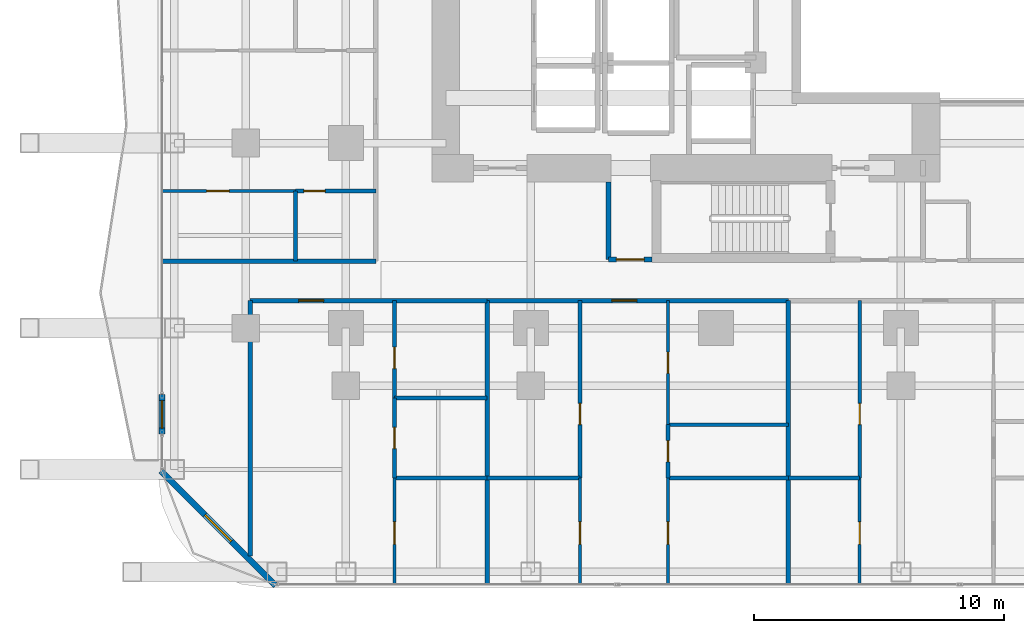
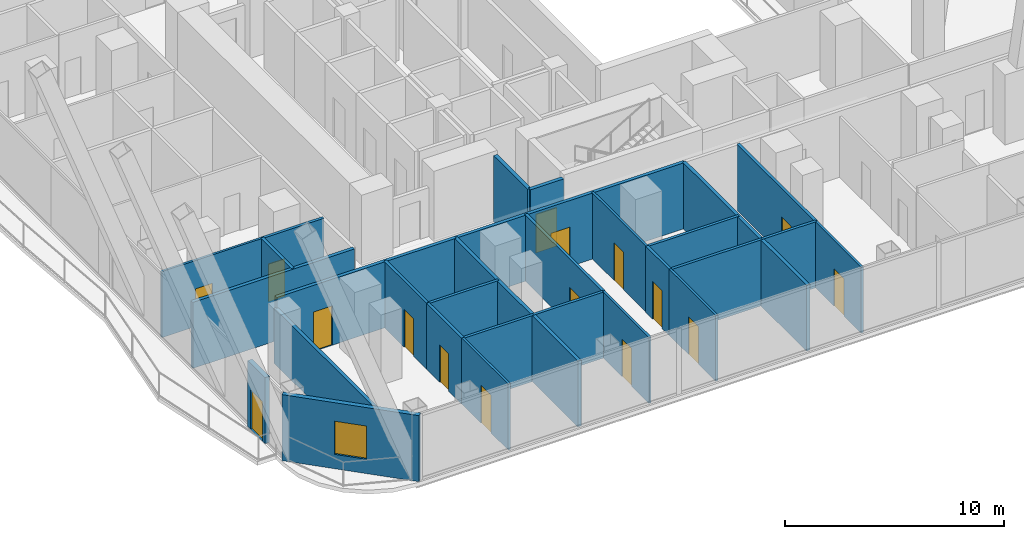
# One storey, part 25 of 33: 29 walls, 16 doors, 1 window, 17 openings.
"""IFC4 building model written with IfcOpenShell, lengths in metres."""

from ifc_helpers import new_model, si_unit, direction, frame, frame_2d, origin, place, context, subcontext, project, spatial, rectangle, extrude, material, layer, layer_set, type_object, element, fill, save


model = new_model("IFC4")

# Units and contexts
model_context = context("Model", 3, precision=1e-05, world=origin(), true_north=direction((0.0, 1.0)))
body_context = subcontext(model_context, "Body", "Model", "MODEL_VIEW")
ifc_project = project(units=[si_unit("LENGTHUNIT", "METRE"), si_unit("AREAUNIT", "SQUARE_METRE"), si_unit("VOLUMEUNIT", "CUBIC_METRE"), si_unit("PLANEANGLEUNIT", "RADIAN"), si_unit("MASSUNIT", "GRAM", prefix="KILO")], contexts=[model_context])

# Site, building, storey
site_placement = place(None, origin())
site = spatial("IfcSite", under=ifc_project, at=site_placement, CompositionType="ELEMENT")
building_placement = place(site_placement, origin())
building = spatial("IfcBuilding", under=site, at=building_placement, Name="Khorvyn Point Tower", CompositionType="ELEMENT")
storey_placement = place(building_placement, frame((0.0, 0.0, 38.39990234375)))
storey = spatial("IfcBuildingStorey", under=building, at=storey_placement, Name="L10", CompositionType="ELEMENT", Elevation=38.39990234375)

# Wall, opening, door
ifc_material_1 = material(Name="Double acoustic gypsum on twin steel stud", Category="steel")
ifc_layer_1 = layer(ifc_material_1, 0.179931640625)
ifc_layer_set_1 = layer_set([ifc_layer_1], Name="Acoustic Double-Stud Apartment Demising Wall 180")
wall_type_1 = type_object("IfcWallType", Name="Acoustic Double-Stud Apartment Demising Wall 180", PredefinedType="PARTITIONING", material=ifc_layer_set_1)
wall_1_placement = place(storey_placement, frame((-18.6201171875, -13.699951171875, 0.0), z_axis=(0.0, 0.0, 1.0), x_axis=(1.0, 0.0, 0.0)))
wall_1 = element("IfcWall", 1, at=wall_1_placement, inside=storey, type_object=wall_type_1, Name="Wall", PredefinedType="PARTITIONING", context=body_context, shape_type="SweptSolid", body=[
    extrude(rectangle(XDim=9.46923828125, YDim=0.179931640625, at=frame_2d((4.734619140625, 0.0))), origin(), (0.0, 0.0, 1.0), 3.68017578125),
])
opening_1_placement = place(wall_1_placement, frame((1.931396484375, 0.0, 0.0)))
opening_1 = element("IfcOpeningElement", 2, at=opening_1_placement, cuts=wall_1, Name="Opening ID-AP60", PredefinedType="OPENING", context=body_context, shape_type="SweptSolid", body=[
    extrude(rectangle(XDim=1.0, YDim=2.199951171875, at=frame_2d((0.5, 1.10009765625))), frame((0.0, 0.099853515625, 0.0), z_axis=(0.0, -1.0, 0.0), x_axis=(1.0, 0.0, 0.0)), (0.0, 0.0, 1.0), 0.199951171875),
])
ifc_material_2 = material(Name="Engineered hardwood fire-rated leaf", Category="wood")
door_type_1 = type_object("IfcDoorType", Name="Acoustic Solid-Core Timber Apartment Entrance Door 1000x2200", OperationType="NOTDEFINED", PredefinedType="DOOR", material=ifc_material_2)
door_1_placement = place(opening_1_placement, origin())
door_1 = element("IfcDoor", 3, at=door_1_placement, inside=storey, type_object=door_type_1, Name="Door", OperationType="SINGLE_SWING_LEFT", OverallHeight=2.199951171875, OverallWidth=1.0, PredefinedType="DOOR", context=body_context, shape_type="SweptSolid", body=[
    extrude(rectangle(XDim=1.0, YDim=2.199951171875, at=frame_2d((0.5, 1.10009765625))), frame((0.0, 0.02490234375, 0.0), z_axis=(0.0, -1.0, 0.0), x_axis=(1.0, 0.0, 0.0)), (0.0, 0.0, 1.0), 0.050048828125),
])
fill(opening_1, door_1)

wall_2_placement = place(storey_placement, frame((-9.15087890625, -13.699951171875, 0.0), z_axis=(0.0, 0.0, 1.0), x_axis=(1.0, 0.0, 0.0)))
wall_2 = element("IfcWall", 4, at=wall_2_placement, inside=storey, type_object=wall_type_1, Name="Wall", PredefinedType="PARTITIONING", context=body_context, shape_type="SweptSolid", body=[
    extrude(rectangle(XDim=12.05078125, YDim=0.179931640625, at=frame_2d((6.025390625, 0.0))), origin(), (0.0, 0.0, 1.0), 3.68017578125),
])
opening_2_placement = place(wall_2_placement, frame((4.989013671875, 0.0, 0.0)))
opening_2 = element("IfcOpeningElement", 5, at=opening_2_placement, cuts=wall_2, Name="Opening ID-AP60", PredefinedType="OPENING", context=body_context, shape_type="SweptSolid", body=[
    extrude(rectangle(XDim=1.0, YDim=2.199951171875, at=frame_2d((0.5, 1.10009765625))), frame((0.0, 0.099853515625, 0.0), z_axis=(0.0, -1.0, 0.0), x_axis=(1.0, 0.0, 0.0)), (0.0, 0.0, 1.0), 0.199951171875),
])
door_2_placement = place(opening_2_placement, origin())
door_2 = element("IfcDoor", 6, at=door_2_placement, inside=storey, type_object=door_type_1, Name="Door", OperationType="SINGLE_SWING_LEFT", OverallHeight=2.199951171875, OverallWidth=1.0, PredefinedType="DOOR", context=body_context, shape_type="SweptSolid", body=[
    extrude(rectangle(XDim=1.0, YDim=2.199951171875, at=frame_2d((0.5, 1.10009765625))), frame((0.0, 0.02490234375, 0.0), z_axis=(0.0, -1.0, 0.0), x_axis=(1.0, 0.0, 0.0)), (0.0, 0.0, 1.0), 0.050048828125),
])
fill(opening_2, door_2)

# Walls
wall_3_placement = place(storey_placement, frame((-18.6201171875, -23.909912109375, 0.0), z_axis=(0.0, 0.0, 1.0), x_axis=(0.0, 1.0, 0.0)))
element("IfcWall", 7, at=wall_3_placement, inside=storey, type_object=wall_type_1, Name="Wall", PredefinedType="PARTITIONING", context=body_context, shape_type="SweptSolid", body=[
    extrude(rectangle(XDim=10.2099609375, YDim=0.179931640625, at=frame_2d((5.10498046875, 0.0))), origin(), (0.0, 0.0, 1.0), 3.08203125),
])
for number, where, z_axis, x_axis, name in (
    (8, (-9.15087890625, -25.030029296875, 0.0), (0.0, 0.0, 1.0), (0.0, 1.0, 0.0), "Wall"),
    (9, (2.89990234375, -25.030029296875, 0.0), (0.0, 0.0, 1.0), (0.0, 1.0, 0.0), "Wall"),
):
    element("IfcWall", number, at=place(storey_placement, frame(where, z_axis=z_axis, x_axis=x_axis)), inside=storey, type_object=wall_type_1, Name=name, PredefinedType="PARTITIONING", context=body_context, shape_type="SweptSolid", body=[
        extrude(rectangle(XDim=11.330078125, YDim=0.179931640625, at=frame_2d((5.6650390625, 0.0))), origin(), (0.0, 0.0, 1.0), 3.68017578125),
    ])
wall_4_placement = place(storey_placement, frame((-22.1298828125, -12.1201171875, 0.0), z_axis=(0.0, 0.0, 1.0), x_axis=(1.0, 0.0, 0.0)))
element("IfcWall", 10, at=wall_4_placement, inside=storey, type_object=wall_type_1, Name="Wall", PredefinedType="PARTITIONING", context=body_context, shape_type="SweptSolid", body=[
    extrude(rectangle(XDim=8.52978515625, YDim=0.179931640625, at=frame_2d((4.264892578125, 0.0))), origin(), (0.0, 0.0, 1.0), 3.68017578125),
])

# Wall, opening, door
ifc_material_3 = material(Name="Pale anodised aluminium rainscreen on steel stud", Category="steel")
ifc_layer_2 = layer(ifc_material_3, 0.239990234375)
ifc_layer_set_2 = layer_set([ifc_layer_2], Name="Anodised Aluminium Insulated Corner Spandrel Wall 240")
wall_type_2 = type_object("IfcWallType", Name="Anodised Aluminium Insulated Corner Spandrel Wall 240", PredefinedType="SOLIDWALL", material=ifc_layer_set_2)
wall_5_placement = place(storey_placement, frame((-22.14990234375, -19.0400390625, 0.0), z_axis=(0.0, 0.0, 1.0), x_axis=(0.0, 1.0, 0.0)))
wall_5 = element("IfcWall", 11, at=wall_5_placement, inside=storey, type_object=wall_type_2, Name="L10 West Outdoor Threshold Wall", PredefinedType="SOLIDWALL", context=body_context, shape_type="SweptSolid", body=[
    extrude(rectangle(XDim=1.580078125, YDim=0.239990234375, at=frame_2d((0.7900390625, 0.0))), origin(), (0.0, 0.0, 1.0), 3.68017578125),
])
opening_3_placement = place(wall_5_placement, frame((0.239990234375, 0.0, 0.0)))
opening_3 = element("IfcOpeningElement", 12, at=opening_3_placement, cuts=wall_5, Name="Opening BD-1122", PredefinedType="OPENING", context=body_context, shape_type="SweptSolid", body=[
    extrude(rectangle(XDim=1.10009765625, YDim=2.199951171875, at=frame_2d((0.550048828125, 1.10009765625))), frame((0.0, 0.1298828125, 0.0), z_axis=(0.0, -1.0, 0.0), x_axis=(1.0, 0.0, 0.0)), (0.0, 0.0, 1.0), 0.260009765625),
])
ifc_material_4 = material(Name="Anodised aluminium 6063-T6 and laminated Low-E glass", Category="aluminium")
door_type_2 = type_object("IfcDoorType", Name="Glazed Balcony and Terrace Threshold Door 1100x2200", OperationType="NOTDEFINED", PredefinedType="DOOR", material=ifc_material_4)
door_3_placement = place(opening_3_placement, origin())
door_3 = element("IfcDoor", 13, at=door_3_placement, inside=storey, type_object=door_type_2, Name="L10 West Glazed Balcony Outdoor Door", OperationType="SINGLE_SWING_RIGHT", OverallHeight=2.199951171875, OverallWidth=1.10009765625, PredefinedType="DOOR", context=body_context, shape_type="SweptSolid", body=[
    extrude(rectangle(XDim=1.10009765625, YDim=2.199951171875, at=frame_2d((0.550048828125, 1.10009765625))), frame((0.0, 0.02490234375, 0.0), z_axis=(0.0, -1.0, 0.0), x_axis=(1.0, 0.0, 0.0)), (0.0, 0.0, 1.0), 0.050048828125),
])
fill(opening_3, door_3)

# Wall, opening, window
wall_6_placement = place(storey_placement, frame((-17.607666015625, -25.09228515625, 0.0), z_axis=(0.0, 0.0, 1.0), x_axis=(-0.707106781187, 0.707106781187, 0.0)))
wall_6 = element("IfcWall", 14, at=wall_6_placement, inside=storey, type_object=wall_type_2, Name="L10 Rounded Corner Wall SW", PredefinedType="SOLIDWALL", context=body_context, shape_type="SweptSolid", body=[
    extrude(rectangle(XDim=6.48388671875, YDim=0.239990234375, at=frame_2d((3.241943359375, 0.0))), origin(), (0.0, 0.0, 1.0), 3.68017578125),
])
opening_4_placement = place(wall_6_placement, frame((2.491943359375, 0.0, 0.800048828125)))
opening_4 = element("IfcOpeningElement", 15, at=opening_4_placement, cuts=wall_6, Name="Opening WN-1518", PredefinedType="OPENING", context=body_context, shape_type="SweptSolid", body=[
    extrude(rectangle(XDim=1.5, YDim=1.85009765625, at=frame_2d((0.75, 0.925048828125))), frame((0.0, 0.1298828125, 0.0), z_axis=(0.0, -1.0, 0.0), x_axis=(1.0, 0.0, 0.0)), (0.0, 0.0, 1.0), 0.260009765625),
])
window_type = type_object("IfcWindowType", Name="Anodised Aluminium Rounded-Corner Panoramic Window 1500x1850", PartitioningType="SINGLE_PANEL", PredefinedType="WINDOW", material=ifc_material_4)
window_placement = place(opening_4_placement, origin())
window = element("IfcWindow", 16, at=window_placement, inside=storey, type_object=window_type, Name="L10 Corner Panoramic Window SW", OverallHeight=1.85009765625, OverallWidth=1.5, PartitioningType="SINGLE_PANEL", PredefinedType="WINDOW", context=body_context, shape_type="SweptSolid", body=[
    extrude(rectangle(XDim=1.5, YDim=1.85009765625, at=frame_2d((0.75, 0.925048828125))), frame((0.0, 0.030029296875, 0.0), z_axis=(0.0, -1.0, 0.0), x_axis=(1.0, 0.0, 0.0)), (0.0, 0.0, 1.0), 0.06005859375),
])
fill(opening_4, window)

# Wall, opening, door
ifc_material_5 = material(Name="Concrete C40/50", Category="concrete")
ifc_layer_3 = layer(ifc_material_5, 0.199951171875)
ifc_layer_set_3 = layer_set([ifc_layer_3], Name="Concrete C40/50 Fire-Lobby Compartment Wall 200")
wall_type_3 = type_object("IfcWallType", Name="Concrete C40/50 Fire-Lobby Compartment Wall 200", PredefinedType="SOLIDWALL", material=ifc_layer_set_3)
wall_7_placement = place(storey_placement, frame((-4.300048828125, -12.06005859375, 0.0), z_axis=(0.0, 0.0, 1.0), x_axis=(1.0, 0.0, 0.0)))
wall_7 = element("IfcWall", 17, at=wall_7_placement, inside=storey, type_object=wall_type_3, Name="Wall", PredefinedType="SOLIDWALL", context=body_context, shape_type="SweptSolid", body=[
    extrude(rectangle(XDim=1.75, YDim=0.199951171875, at=frame_2d((0.875, 0.0))), origin(), (0.0, 0.0, 1.0), 3.68017578125),
])
opening_5_placement = place(wall_7_placement, frame((0.324951171875, 0.0, 0.0)))
opening_5 = element("IfcOpeningElement", 18, at=opening_5_placement, cuts=wall_7, Name="Opening ID-FL90", PredefinedType="OPENING", context=body_context, shape_type="SweptSolid", body=[
    extrude(rectangle(XDim=1.10009765625, YDim=2.14990234375, at=frame_2d((0.550048828125, 1.074951171875))), frame((0.0, 0.10986328125, 0.0), z_axis=(0.0, -1.0, 0.0), x_axis=(1.0, 0.0, 0.0)), (0.0, 0.0, 1.0), 0.219970703125),
])
ifc_material_6 = material(Name="Galvanised powder-coated steel", Category="steel")
door_type_3 = type_object("IfcDoorType", Name="Fire-Rated Steel Lobby and Stair Door 1100x2150", OperationType="NOTDEFINED", PredefinedType="DOOR", material=ifc_material_6)
door_4_placement = place(opening_5_placement, origin())
door_4 = element("IfcDoor", 19, at=door_4_placement, inside=storey, type_object=door_type_3, Name="Door", OperationType="SINGLE_SWING_LEFT", OverallHeight=2.14990234375, OverallWidth=1.10009765625, PredefinedType="DOOR", context=body_context, shape_type="SweptSolid", body=[
    extrude(rectangle(XDim=1.10009765625, YDim=2.14990234375, at=frame_2d((0.550048828125, 1.074951171875))), frame((0.0, 0.02490234375, 0.0), z_axis=(0.0, -1.0, 0.0), x_axis=(1.0, 0.0, 0.0)), (0.0, 0.0, 1.0), 0.050048828125),
])
fill(opening_5, door_4)

# Wall
wall_8_placement = place(storey_placement, frame((-4.300048828125, -12.06005859375, 0.0), z_axis=(0.0, 0.0, 1.0), x_axis=(0.0, 1.0, 0.0)))
element("IfcWall", 20, at=wall_8_placement, inside=storey, type_object=wall_type_3, Name="Wall", PredefinedType="SOLIDWALL", context=body_context, shape_type="SweptSolid", body=[
    extrude(rectangle(XDim=3.110107421875, YDim=0.199951171875, at=frame_2d((1.55517578125, 0.0))), origin(), (0.0, 0.0, 1.0), 3.68017578125),
])

# Wall, opening, door
ifc_material_7 = material(Name="Gypsum plasterboard on steel stud", Category="steel")
ifc_layer_4 = layer(ifc_material_7, 0.1201171875)
ifc_layer_set_4 = layer_set([ifc_layer_4], Name="Gypsum Acoustic Stud Room Partition Wall 120")
wall_type_4 = type_object("IfcWallType", Name="Gypsum Acoustic Stud Room Partition Wall 120", PredefinedType="PARTITIONING", material=ifc_layer_set_4)
wall_9_placement = place(storey_placement, frame((-12.85400390625, -25.030029296875, 0.0), z_axis=(0.0, 0.0, 1.0), x_axis=(0.0, 1.0, 0.0)))
wall_9 = element("IfcWall", 21, at=wall_9_placement, inside=storey, type_object=wall_type_4, Name="Wall", PredefinedType="PARTITIONING", context=body_context, shape_type="SweptSolid", body=[
    extrude(rectangle(XDim=4.239990234375, YDim=0.1201171875, at=frame_2d((2.1201171875, 0.0))), origin(), (0.0, 0.0, 1.0), 3.68017578125),
])
opening_6_placement = place(wall_9_placement, frame((1.581298828125, 0.0, 0.0)))
opening_6 = element("IfcOpeningElement", 22, at=opening_6_placement, cuts=wall_9, Name="Opening ID-RM90", PredefinedType="OPENING", context=body_context, shape_type="SweptSolid", body=[
    extrude(rectangle(XDim=0.89990234375, YDim=2.10009765625, at=frame_2d((0.449951171875, 1.050048828125))), frame((0.0, 0.070068359375, 0.0), z_axis=(0.0, -1.0, 0.0), x_axis=(1.0, 0.0, 0.0)), (0.0, 0.0, 1.0), 0.14013671875),
])
ifc_material_8 = material(Name="Engineered oak veneer timber", Category="wood")
door_type_4 = type_object("IfcDoorType", Name="Flush Engineered Timber Room Door 900x2100", OperationType="NOTDEFINED", PredefinedType="DOOR", material=ifc_material_8)
door_5_placement = place(opening_6_placement, origin())
door_5 = element("IfcDoor", 23, at=door_5_placement, inside=storey, type_object=door_type_4, Name="Door", OperationType="SINGLE_SWING_RIGHT", OverallHeight=2.10009765625, OverallWidth=0.89990234375, PredefinedType="DOOR", context=body_context, shape_type="SweptSolid", body=[
    extrude(rectangle(XDim=0.89990234375, YDim=2.10009765625, at=frame_2d((0.449951171875, 1.050048828125))), frame((0.0, 0.02490234375, 0.0), z_axis=(0.0, -1.0, 0.0), x_axis=(1.0, 0.0, 0.0)), (0.0, 0.0, 1.0), 0.050048828125),
])
fill(opening_6, door_5)

wall_10_placement = place(storey_placement, frame((-5.43408203125, -25.030029296875, 0.0), z_axis=(0.0, 0.0, 1.0), x_axis=(0.0, 1.0, 0.0)))
wall_10 = element("IfcWall", 24, at=wall_10_placement, inside=storey, type_object=wall_type_4, Name="Wall", PredefinedType="PARTITIONING", context=body_context, shape_type="SweptSolid", body=[
    extrude(rectangle(XDim=4.239990234375, YDim=0.1201171875, at=frame_2d((2.1201171875, 0.0))), origin(), (0.0, 0.0, 1.0), 3.68017578125),
])
opening_7_placement = place(wall_10_placement, frame((1.581298828125, 0.0, 0.0)))
opening_7 = element("IfcOpeningElement", 25, at=opening_7_placement, cuts=wall_10, Name="Opening ID-RM90", PredefinedType="OPENING", context=body_context, shape_type="SweptSolid", body=[
    extrude(rectangle(XDim=0.89990234375, YDim=2.10009765625, at=frame_2d((0.449951171875, 1.050048828125))), frame((0.0, 0.070068359375, 0.0), z_axis=(0.0, -1.0, 0.0), x_axis=(1.0, 0.0, 0.0)), (0.0, 0.0, 1.0), 0.14013671875),
])
door_6_placement = place(opening_7_placement, origin())
door_6 = element("IfcDoor", 26, at=door_6_placement, inside=storey, type_object=door_type_4, Name="Door", OperationType="SINGLE_SWING_LEFT", OverallHeight=2.10009765625, OverallWidth=0.89990234375, PredefinedType="DOOR", context=body_context, shape_type="SweptSolid", body=[
    extrude(rectangle(XDim=0.89990234375, YDim=2.10009765625, at=frame_2d((0.449951171875, 1.050048828125))), frame((0.0, 0.02490234375, 0.0), z_axis=(0.0, -1.0, 0.0), x_axis=(1.0, 0.0, 0.0)), (0.0, 0.0, 1.0), 0.050048828125),
])
fill(opening_7, door_6)

wall_11_placement = place(storey_placement, frame((-1.919921875, -18.6630859375, 0.0), z_axis=(0.0, 0.0, 1.0), x_axis=(0.0, 1.0, 0.0)))
wall_11 = element("IfcWall", 27, at=wall_11_placement, inside=storey, type_object=wall_type_4, Name="Wall", PredefinedType="PARTITIONING", context=body_context, shape_type="SweptSolid", body=[
    extrude(rectangle(XDim=4.963134765625, YDim=0.1201171875, at=frame_2d((2.4814453125, 0.0))), origin(), (0.0, 0.0, 1.0), 3.68017578125),
])
opening_8_placement = place(wall_11_placement, frame((2.056396484375, 0.0, 0.0)))
opening_8 = element("IfcOpeningElement", 28, at=opening_8_placement, cuts=wall_11, Name="Opening ID-WC85", PredefinedType="OPENING", context=body_context, shape_type="SweptSolid", body=[
    extrude(rectangle(XDim=0.85009765625, YDim=2.10009765625, at=frame_2d((0.425048828125, 1.050048828125))), frame((0.0, 0.070068359375, 0.0), z_axis=(0.0, -1.0, 0.0), x_axis=(1.0, 0.0, 0.0)), (0.0, 0.0, 1.0), 0.14013671875),
])
ifc_material_9 = material(Name="High-pressure laminate on moisture-resistant core", Category="wood")
door_type_5 = type_object("IfcDoorType", Name="Moisture-Resistant Accessible Washroom Door 850x2100", OperationType="NOTDEFINED", PredefinedType="DOOR", material=ifc_material_9)
door_7_placement = place(opening_8_placement, origin())
door_7 = element("IfcDoor", 29, at=door_7_placement, inside=storey, type_object=door_type_5, Name="Door", OperationType="SINGLE_SWING_LEFT", OverallHeight=2.10009765625, OverallWidth=0.85009765625, PredefinedType="DOOR", context=body_context, shape_type="SweptSolid", body=[
    extrude(rectangle(XDim=0.85009765625, YDim=2.10009765625, at=frame_2d((0.425048828125, 1.050048828125))), frame((0.0, 0.02490234375, 0.0), z_axis=(0.0, -1.0, 0.0), x_axis=(1.0, 0.0, 0.0)), (0.0, 0.0, 1.0), 0.050048828125),
])
fill(opening_8, door_7)

wall_12_placement = place(storey_placement, frame((-1.919921875, -25.030029296875, 0.0), z_axis=(0.0, 0.0, 1.0), x_axis=(0.0, 1.0, 0.0)))
wall_12 = element("IfcWall", 30, at=wall_12_placement, inside=storey, type_object=wall_type_4, Name="Wall", PredefinedType="PARTITIONING", context=body_context, shape_type="SweptSolid", body=[
    extrude(rectangle(XDim=4.239990234375, YDim=0.1201171875, at=frame_2d((2.1201171875, 0.0))), origin(), (0.0, 0.0, 1.0), 3.68017578125),
])
opening_9_placement = place(wall_12_placement, frame((1.581298828125, 0.0, 0.0)))
opening_9 = element("IfcOpeningElement", 31, at=opening_9_placement, cuts=wall_12, Name="Opening ID-RM90", PredefinedType="OPENING", context=body_context, shape_type="SweptSolid", body=[
    extrude(rectangle(XDim=0.89990234375, YDim=2.10009765625, at=frame_2d((0.449951171875, 1.050048828125))), frame((0.0, 0.070068359375, 0.0), z_axis=(0.0, -1.0, 0.0), x_axis=(1.0, 0.0, 0.0)), (0.0, 0.0, 1.0), 0.14013671875),
])
door_8_placement = place(opening_9_placement, origin())
door_8 = element("IfcDoor", 32, at=door_8_placement, inside=storey, type_object=door_type_4, Name="Door", OperationType="SINGLE_SWING_RIGHT", OverallHeight=2.10009765625, OverallWidth=0.89990234375, PredefinedType="DOOR", context=body_context, shape_type="SweptSolid", body=[
    extrude(rectangle(XDim=0.89990234375, YDim=2.10009765625, at=frame_2d((0.449951171875, 1.050048828125))), frame((0.0, 0.02490234375, 0.0), z_axis=(0.0, -1.0, 0.0), x_axis=(1.0, 0.0, 0.0)), (0.0, 0.0, 1.0), 0.050048828125),
])
fill(opening_9, door_8)

wall_13_placement = place(storey_placement, frame((5.75, -25.030029296875, 0.0), z_axis=(0.0, 0.0, 1.0), x_axis=(0.0, 1.0, 0.0)))
wall_13 = element("IfcWall", 33, at=wall_13_placement, inside=storey, type_object=wall_type_4, Name="Wall", PredefinedType="PARTITIONING", context=body_context, shape_type="SweptSolid", body=[
    extrude(rectangle(XDim=4.239990234375, YDim=0.1201171875, at=frame_2d((2.1201171875, 0.0))), origin(), (0.0, 0.0, 1.0), 3.68017578125),
])
opening_10_placement = place(wall_13_placement, frame((1.581298828125, 0.0, 0.0)))
opening_10 = element("IfcOpeningElement", 34, at=opening_10_placement, cuts=wall_13, Name="Opening ID-RM90", PredefinedType="OPENING", context=body_context, shape_type="SweptSolid", body=[
    extrude(rectangle(XDim=0.89990234375, YDim=2.10009765625, at=frame_2d((0.449951171875, 1.050048828125))), frame((0.0, 0.070068359375, 0.0), z_axis=(0.0, -1.0, 0.0), x_axis=(1.0, 0.0, 0.0)), (0.0, 0.0, 1.0), 0.14013671875),
])
door_9_placement = place(opening_10_placement, origin())
door_9 = element("IfcDoor", 35, at=door_9_placement, inside=storey, type_object=door_type_4, Name="Door", OperationType="SINGLE_SWING_LEFT", OverallHeight=2.10009765625, OverallWidth=0.89990234375, PredefinedType="DOOR", context=body_context, shape_type="SweptSolid", body=[
    extrude(rectangle(XDim=0.89990234375, YDim=2.10009765625, at=frame_2d((0.449951171875, 1.050048828125))), frame((0.0, 0.02490234375, 0.0), z_axis=(0.0, -1.0, 0.0), x_axis=(1.0, 0.0, 0.0)), (0.0, 0.0, 1.0), 0.050048828125),
])
fill(opening_10, door_9)

wall_14_placement = place(storey_placement, frame((-22.1298828125, -9.320068359375, 0.0), z_axis=(0.0, 0.0, 1.0), x_axis=(1.0, 0.0, 0.0)))
wall_14 = element("IfcWall", 36, at=wall_14_placement, inside=storey, type_object=wall_type_4, Name="Wall", PredefinedType="PARTITIONING", context=body_context, shape_type="SweptSolid", body=[
    extrude(rectangle(XDim=5.32177734375, YDim=0.1201171875, at=frame_2d((2.660888671875, 0.0))), origin(), (0.0, 0.0, 1.0), 3.68017578125),
])
opening_11_placement = place(wall_14_placement, frame((1.76513671875, 0.0, 0.0)))
opening_11 = element("IfcOpeningElement", 37, at=opening_11_placement, cuts=wall_14, Name="Opening ID-RM90", PredefinedType="OPENING", context=body_context, shape_type="SweptSolid", body=[
    extrude(rectangle(XDim=0.89990234375, YDim=2.10009765625, at=frame_2d((0.449951171875, 1.050048828125))), frame((0.0, 0.070068359375, 0.0), z_axis=(0.0, -1.0, 0.0), x_axis=(1.0, 0.0, 0.0)), (0.0, 0.0, 1.0), 0.14013671875),
])
door_10_placement = place(opening_11_placement, origin())
door_10 = element("IfcDoor", 38, at=door_10_placement, inside=storey, type_object=door_type_4, Name="Door", OperationType="SINGLE_SWING_LEFT", OverallHeight=2.10009765625, OverallWidth=0.89990234375, PredefinedType="DOOR", context=body_context, shape_type="SweptSolid", body=[
    extrude(rectangle(XDim=0.89990234375, YDim=2.10009765625, at=frame_2d((0.449951171875, 1.050048828125))), frame((0.0, 0.02490234375, 0.0), z_axis=(0.0, -1.0, 0.0), x_axis=(1.0, 0.0, 0.0)), (0.0, 0.0, 1.0), 0.050048828125),
])
fill(opening_11, door_10)

ifc_material_10 = material(Name="Moisture-resistant gypsum and cement board", Category="gypsum")
ifc_layer_5 = layer(ifc_material_10, 0.14990234375)
ifc_layer_set_5 = layer_set([ifc_layer_5], Name="Moisture-Resistant Wet-Room Partition Wall 150")
wall_type_5 = type_object("IfcWallType", Name="Moisture-Resistant Wet-Room Partition Wall 150", PredefinedType="PARTITIONING", material=ifc_layer_set_5)
wall_15_placement = place(storey_placement, frame((-12.85400390625, -17.59912109375, 0.0), z_axis=(0.0, 0.0, 1.0), x_axis=(0.0, 1.0, 0.0)))
wall_15 = element("IfcWall", 39, at=wall_15_placement, inside=storey, type_object=wall_type_5, Name="Wall", PredefinedType="PARTITIONING", context=body_context, shape_type="SweptSolid", body=[
    extrude(rectangle(XDim=3.899169921875, YDim=0.14990234375, at=frame_2d((1.94970703125, 0.0))), origin(), (0.0, 0.0, 1.0), 3.68017578125),
])
opening_12_placement = place(wall_15_placement, frame((1.183349609375, 0.0, 0.0)))
opening_12 = element("IfcOpeningElement", 40, at=opening_12_placement, cuts=wall_15, Name="Opening ID-WC85", PredefinedType="OPENING", context=body_context, shape_type="SweptSolid", body=[
    extrude(rectangle(XDim=0.85009765625, YDim=2.10009765625, at=frame_2d((0.425048828125, 1.050048828125))), frame((0.0, 0.0849609375, 0.0), z_axis=(0.0, -1.0, 0.0), x_axis=(1.0, 0.0, 0.0)), (0.0, 0.0, 1.0), 0.169921875),
])
door_11_placement = place(opening_12_placement, origin())
door_11 = element("IfcDoor", 41, at=door_11_placement, inside=storey, type_object=door_type_5, Name="Door", OperationType="SINGLE_SWING_RIGHT", OverallHeight=2.10009765625, OverallWidth=0.85009765625, PredefinedType="DOOR", context=body_context, shape_type="SweptSolid", body=[
    extrude(rectangle(XDim=0.85009765625, YDim=2.10009765625, at=frame_2d((0.425048828125, 1.050048828125))), frame((0.0, 0.02490234375, 0.0), z_axis=(0.0, -1.0, 0.0), x_axis=(1.0, 0.0, 0.0)), (0.0, 0.0, 1.0), 0.050048828125),
])
fill(opening_12, door_11)

wall_16_placement = place(storey_placement, frame((-12.85400390625, -20.7900390625, 0.0), z_axis=(0.0, 0.0, 1.0), x_axis=(0.0, 1.0, 0.0)))
wall_16 = element("IfcWall", 42, at=wall_16_placement, inside=storey, type_object=wall_type_5, Name="Wall", PredefinedType="PARTITIONING", context=body_context, shape_type="SweptSolid", body=[
    extrude(rectangle(XDim=3.19091796875, YDim=0.14990234375, at=frame_2d((1.595458984375, 0.0))), origin(), (0.0, 0.0, 1.0), 3.68017578125),
])
opening_13_placement = place(wall_16_placement, frame((1.17041015625, 0.0, 0.0)))
opening_13 = element("IfcOpeningElement", 43, at=opening_13_placement, cuts=wall_16, Name="Opening ID-WC85", PredefinedType="OPENING", context=body_context, shape_type="SweptSolid", body=[
    extrude(rectangle(XDim=0.85009765625, YDim=2.10009765625, at=frame_2d((0.425048828125, 1.050048828125))), frame((0.0, 0.0849609375, 0.0), z_axis=(0.0, -1.0, 0.0), x_axis=(1.0, 0.0, 0.0)), (0.0, 0.0, 1.0), 0.169921875),
])
door_12_placement = place(opening_13_placement, origin())
door_12 = element("IfcDoor", 44, at=door_12_placement, inside=storey, type_object=door_type_5, Name="Door", OperationType="SINGLE_SWING_LEFT", OverallHeight=2.10009765625, OverallWidth=0.85009765625, PredefinedType="DOOR", context=body_context, shape_type="SweptSolid", body=[
    extrude(rectangle(XDim=0.85009765625, YDim=2.10009765625, at=frame_2d((0.425048828125, 1.050048828125))), frame((0.0, 0.02490234375, 0.0), z_axis=(0.0, -1.0, 0.0), x_axis=(1.0, 0.0, 0.0)), (0.0, 0.0, 1.0), 0.050048828125),
])
fill(opening_13, door_12)

wall_17_placement = place(storey_placement, frame((-5.43408203125, -20.7900390625, 0.0), z_axis=(0.0, 0.0, 1.0), x_axis=(0.0, 1.0, 0.0)))
wall_17 = element("IfcWall", 45, at=wall_17_placement, inside=storey, type_object=wall_type_5, Name="Wall", PredefinedType="PARTITIONING", context=body_context, shape_type="SweptSolid", body=[
    extrude(rectangle(XDim=7.090087890625, YDim=0.14990234375, at=frame_2d((3.544921875, 0.0))), origin(), (0.0, 0.0, 1.0), 3.68017578125),
])
opening_14_placement = place(wall_17_placement, frame((2.13330078125, 0.0, 0.0)))
opening_14 = element("IfcOpeningElement", 46, at=opening_14_placement, cuts=wall_17, Name="Opening ID-WC85", PredefinedType="OPENING", context=body_context, shape_type="SweptSolid", body=[
    extrude(rectangle(XDim=0.85009765625, YDim=2.10009765625, at=frame_2d((0.425048828125, 1.050048828125))), frame((0.0, 0.0849609375, 0.0), z_axis=(0.0, -1.0, 0.0), x_axis=(1.0, 0.0, 0.0)), (0.0, 0.0, 1.0), 0.169921875),
])
door_13_placement = place(opening_14_placement, origin())
door_13 = element("IfcDoor", 47, at=door_13_placement, inside=storey, type_object=door_type_5, Name="Door", OperationType="SINGLE_SWING_RIGHT", OverallHeight=2.10009765625, OverallWidth=0.85009765625, PredefinedType="DOOR", context=body_context, shape_type="SweptSolid", body=[
    extrude(rectangle(XDim=0.85009765625, YDim=2.10009765625, at=frame_2d((0.425048828125, 1.050048828125))), frame((0.0, 0.02490234375, 0.0), z_axis=(0.0, -1.0, 0.0), x_axis=(1.0, 0.0, 0.0)), (0.0, 0.0, 1.0), 0.050048828125),
])
fill(opening_14, door_13)

wall_18_placement = place(storey_placement, frame((-1.919921875, -20.7900390625, 0.0), z_axis=(0.0, 0.0, 1.0), x_axis=(0.0, 1.0, 0.0)))
wall_18 = element("IfcWall", 48, at=wall_18_placement, inside=storey, type_object=wall_type_5, Name="Wall", PredefinedType="PARTITIONING", context=body_context, shape_type="SweptSolid", body=[
    extrude(rectangle(XDim=2.126953125, YDim=0.14990234375, at=frame_2d((1.0634765625, 0.0))), origin(), (0.0, 0.0, 1.0), 3.68017578125),
])
opening_15_placement = place(wall_18_placement, frame((0.638427734375, 0.0, 0.0)))
opening_15 = element("IfcOpeningElement", 49, at=opening_15_placement, cuts=wall_18, Name="Opening ID-WC85", PredefinedType="OPENING", context=body_context, shape_type="SweptSolid", body=[
    extrude(rectangle(XDim=0.85009765625, YDim=2.10009765625, at=frame_2d((0.425048828125, 1.050048828125))), frame((0.0, 0.0849609375, 0.0), z_axis=(0.0, -1.0, 0.0), x_axis=(1.0, 0.0, 0.0)), (0.0, 0.0, 1.0), 0.169921875),
])
door_14_placement = place(opening_15_placement, origin())
door_14 = element("IfcDoor", 50, at=door_14_placement, inside=storey, type_object=door_type_5, Name="Door", OperationType="SINGLE_SWING_RIGHT", OverallHeight=2.10009765625, OverallWidth=0.85009765625, PredefinedType="DOOR", context=body_context, shape_type="SweptSolid", body=[
    extrude(rectangle(XDim=0.85009765625, YDim=2.10009765625, at=frame_2d((0.425048828125, 1.050048828125))), frame((0.0, 0.02490234375, 0.0), z_axis=(0.0, -1.0, 0.0), x_axis=(1.0, 0.0, 0.0)), (0.0, 0.0, 1.0), 0.050048828125),
])
fill(opening_15, door_14)

wall_19_placement = place(storey_placement, frame((5.75, -20.7900390625, 0.0), z_axis=(0.0, 0.0, 1.0), x_axis=(0.0, 1.0, 0.0)))
wall_19 = element("IfcWall", 51, at=wall_19_placement, inside=storey, type_object=wall_type_5, Name="Wall", PredefinedType="PARTITIONING", context=body_context, shape_type="SweptSolid", body=[
    extrude(rectangle(XDim=7.090087890625, YDim=0.14990234375, at=frame_2d((3.544921875, 0.0))), origin(), (0.0, 0.0, 1.0), 3.68017578125),
])
opening_16_placement = place(wall_19_placement, frame((2.13330078125, 0.0, 0.0)))
opening_16 = element("IfcOpeningElement", 52, at=opening_16_placement, cuts=wall_19, Name="Opening ID-WC85", PredefinedType="OPENING", context=body_context, shape_type="SweptSolid", body=[
    extrude(rectangle(XDim=0.85009765625, YDim=2.10009765625, at=frame_2d((0.425048828125, 1.050048828125))), frame((0.0, 0.0849609375, 0.0), z_axis=(0.0, -1.0, 0.0), x_axis=(1.0, 0.0, 0.0)), (0.0, 0.0, 1.0), 0.169921875),
])
door_15_placement = place(opening_16_placement, origin())
door_15 = element("IfcDoor", 53, at=door_15_placement, inside=storey, type_object=door_type_5, Name="Door", OperationType="SINGLE_SWING_RIGHT", OverallHeight=2.10009765625, OverallWidth=0.85009765625, PredefinedType="DOOR", context=body_context, shape_type="SweptSolid", body=[
    extrude(rectangle(XDim=0.85009765625, YDim=2.10009765625, at=frame_2d((0.425048828125, 1.050048828125))), frame((0.0, 0.02490234375, 0.0), z_axis=(0.0, -1.0, 0.0), x_axis=(1.0, 0.0, 0.0)), (0.0, 0.0, 1.0), 0.050048828125),
])
fill(opening_16, door_15)

wall_20_placement = place(storey_placement, frame((-16.80810546875, -9.320068359375, 0.0), z_axis=(0.0, 0.0, 1.0), x_axis=(1.0, 0.0, 0.0)))
wall_20 = element("IfcWall", 54, at=wall_20_placement, inside=storey, type_object=wall_type_5, Name="Wall", PredefinedType="PARTITIONING", context=body_context, shape_type="SweptSolid", body=[
    extrude(rectangle(XDim=3.2080078125, YDim=0.14990234375, at=frame_2d((1.60400390625, 0.0))), origin(), (0.0, 0.0, 1.0), 3.68017578125),
])
opening_17_placement = place(wall_20_placement, frame((0.329833984375, 0.0, 0.0)))
opening_17 = element("IfcOpeningElement", 55, at=opening_17_placement, cuts=wall_20, Name="Opening ID-WC85", PredefinedType="OPENING", context=body_context, shape_type="SweptSolid", body=[
    extrude(rectangle(XDim=0.85009765625, YDim=2.10009765625, at=frame_2d((0.425048828125, 1.050048828125))), frame((0.0, 0.0849609375, 0.0), z_axis=(0.0, -1.0, 0.0), x_axis=(1.0, 0.0, 0.0)), (0.0, 0.0, 1.0), 0.169921875),
])
door_16_placement = place(opening_17_placement, origin())
door_16 = element("IfcDoor", 56, at=door_16_placement, inside=storey, type_object=door_type_5, Name="Door", OperationType="SINGLE_SWING_RIGHT", OverallHeight=2.10009765625, OverallWidth=0.85009765625, PredefinedType="DOOR", context=body_context, shape_type="SweptSolid", body=[
    extrude(rectangle(XDim=0.85009765625, YDim=2.10009765625, at=frame_2d((0.425048828125, 1.050048828125))), frame((0.0, 0.02490234375, 0.0), z_axis=(0.0, -1.0, 0.0), x_axis=(1.0, 0.0, 0.0)), (0.0, 0.0, 1.0), 0.050048828125),
])
fill(opening_17, door_16)

# Walls
for number, where, z_axis, x_axis, name in (
    (57, (-12.85400390625, -17.59912109375, 0.0), (0.0, 0.0, 1.0), (1.0, 0.0, 0.0), "Wall"),
    (58, (-12.85400390625, -20.7900390625, 0.0), (0.0, 0.0, 1.0), (1.0, 0.0, 0.0), "Wall"),
):
    element("IfcWall", number, at=place(storey_placement, frame(where, z_axis=z_axis, x_axis=x_axis)), inside=storey, type_object=wall_type_5, Name=name, PredefinedType="PARTITIONING", context=body_context, shape_type="SweptSolid", body=[
        extrude(rectangle(XDim=3.703125, YDim=0.14990234375, at=frame_2d((1.8515625, 0.0))), origin(), (0.0, 0.0, 1.0), 3.68017578125),
    ])
wall_21_placement = place(storey_placement, frame((-9.15087890625, -20.7900390625, 0.0), z_axis=(0.0, 0.0, 1.0), x_axis=(1.0, 0.0, 0.0)))
element("IfcWall", 59, at=wall_21_placement, inside=storey, type_object=wall_type_5, Name="Wall", PredefinedType="PARTITIONING", context=body_context, shape_type="SweptSolid", body=[
    extrude(rectangle(XDim=3.716796875, YDim=0.14990234375, at=frame_2d((1.8583984375, 0.0))), origin(), (0.0, 0.0, 1.0), 3.68017578125),
])
for number, where, z_axis, x_axis, name in (
    (60, (-1.919921875, -18.6630859375, 0.0), (0.0, 0.0, 1.0), (1.0, 0.0, 0.0), "Wall"),
    (61, (-1.919921875, -20.7900390625, 0.0), (0.0, 0.0, 1.0), (1.0, 0.0, 0.0), "Wall"),
):
    element("IfcWall", number, at=place(storey_placement, frame(where, z_axis=z_axis, x_axis=x_axis)), inside=storey, type_object=wall_type_5, Name=name, PredefinedType="PARTITIONING", context=body_context, shape_type="SweptSolid", body=[
        extrude(rectangle(XDim=4.81982421875, YDim=0.14990234375, at=frame_2d((2.409912109375, 0.0))), origin(), (0.0, 0.0, 1.0), 3.68017578125),
    ])
wall_22_placement = place(storey_placement, frame((2.89990234375, -20.7900390625, 0.0), z_axis=(0.0, 0.0, 1.0), x_axis=(1.0, 0.0, 0.0)))
element("IfcWall", 62, at=wall_22_placement, inside=storey, type_object=wall_type_5, Name="Wall", PredefinedType="PARTITIONING", context=body_context, shape_type="SweptSolid", body=[
    extrude(rectangle(XDim=2.85009765625, YDim=0.14990234375, at=frame_2d((1.425048828125, 0.0))), origin(), (0.0, 0.0, 1.0), 3.68017578125),
])
wall_23_placement = place(storey_placement, frame((-16.80810546875, -12.1201171875, 0.0), z_axis=(0.0, 0.0, 1.0), x_axis=(0.0, 1.0, 0.0)))
element("IfcWall", 63, at=wall_23_placement, inside=storey, type_object=wall_type_5, Name="Wall", PredefinedType="PARTITIONING", context=body_context, shape_type="SweptSolid", body=[
    extrude(rectangle(XDim=2.800048828125, YDim=0.14990234375, at=frame_2d((1.39990234375, 0.0))), origin(), (0.0, 0.0, 1.0), 3.68017578125),
])

save(model, "model.ifc")
